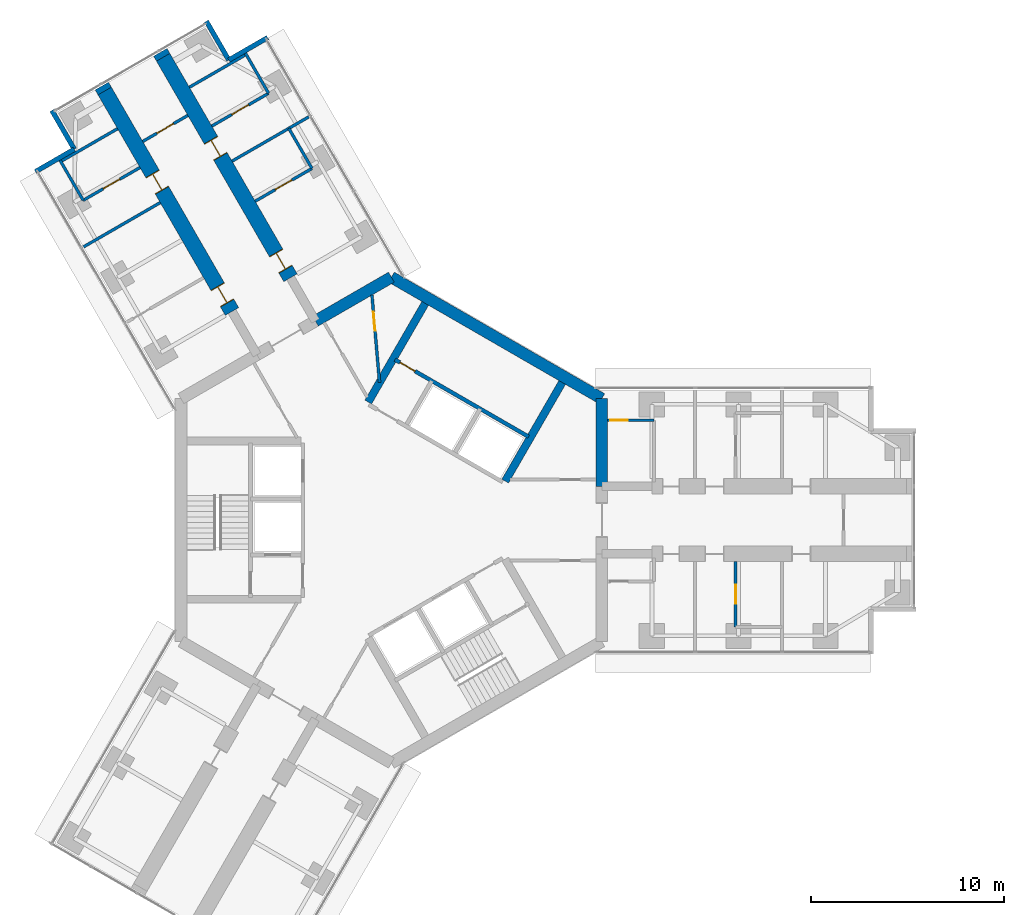
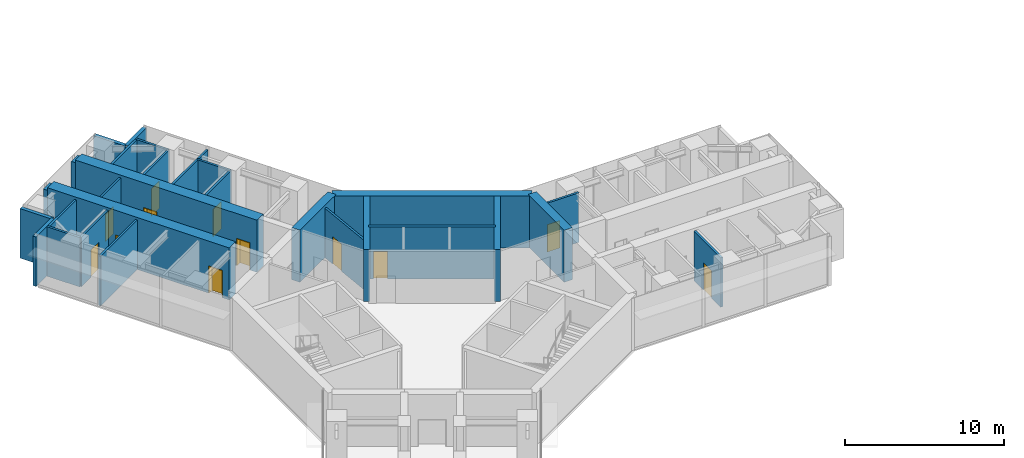
# One storey, part 17 of 22: 28 walls, 12 doors, 12 openings.
"""IFC4 building model written with IfcOpenShell, lengths in metres."""

from ifc_helpers import new_model, si_unit, direction, frame, frame_2d, origin, place, context, subcontext, project, spatial, rectangle, extrude, material, layer, layer_set, type_object, element, fill, save


model = new_model("IFC4")

# Units and contexts
model_context = context("Model", 3, precision=1e-05, world=origin(), true_north=direction((0.0, 1.0)))
body_context = subcontext(model_context, "Body", "Model", "MODEL_VIEW")
ifc_project = project(units=[si_unit("LENGTHUNIT", "METRE"), si_unit("AREAUNIT", "SQUARE_METRE"), si_unit("VOLUMEUNIT", "CUBIC_METRE"), si_unit("PLANEANGLEUNIT", "RADIAN"), si_unit("MASSUNIT", "GRAM", prefix="KILO")], contexts=[model_context])

# Site, building, storey
site_placement = place(None, origin())
site = spatial("IfcSite", under=ifc_project, at=site_placement, CompositionType="ELEMENT")
building_placement = place(site_placement, origin())
building = spatial("IfcBuilding", under=site, at=building_placement, Name="Upepo Twin Towers", CompositionType="ELEMENT")
storey_placement = place(building_placement, frame((0.0, 0.0, 133.5)))
storey = spatial("IfcBuildingStorey", under=building, at=storey_placement, Name="L32", CompositionType="ELEMENT", Elevation=133.5)

# Walls
ifc_material_1 = material(Name="Dense concrete blockwork", Category="masonry")
ifc_layer_1 = layer(ifc_material_1, 0.800048828125)
ifc_layer_set_1 = layer_set([ifc_layer_1], Name="Buttress closer 800, blockwork with fire-stopping to the curtain wall")
wall_type_1 = type_object("IfcWallType", Name="Buttress closer 800, blockwork with fire-stopping to the curtain wall", PredefinedType="PARTITIONING", material=ifc_layer_set_1)
wall_1_placement = place(storey_placement, frame((-14.865478515625, 22.247802734375, 0.0), z_axis=(0.0, 0.0, 1.0), x_axis=(-0.500426713919, 0.865778900179, 0.0)))
element("IfcWall", 1, at=wall_1_placement, inside=storey, type_object=wall_type_1, Name="T1 L32 wing B buttress closer L", PredefinedType="PARTITIONING", context=body_context, shape_type="SweptSolid", body=[
    extrude(rectangle(XDim=0.300048828125, YDim=0.800048828125, at=frame_2d((0.14990234375, 0.0))), origin(), (0.0, 0.0, 1.0), 3.800048828125),
])
wall_2_placement = place(storey_placement, frame((-11.83447265625, 23.997802734375, 0.0), z_axis=(0.0, 0.0, 1.0), x_axis=(-0.499816412211, 0.866131372301, 0.0)))
element("IfcWall", 2, at=wall_2_placement, inside=storey, type_object=wall_type_1, Name="T1 L32 wing B buttress closer R", PredefinedType="PARTITIONING", context=body_context, shape_type="SweptSolid", body=[
    extrude(rectangle(XDim=0.2998046875, YDim=0.800048828125, at=frame_2d((0.14990234375, 0.0))), origin(), (0.0, 0.0, 1.0), 3.800048828125),
])

# Wall, openings, doors
ifc_material_2 = material(Name="Concrete C60/75", Category="concrete")
ifc_layer_2 = layer(ifc_material_2, 0.800048828125)
ifc_layer_set_2 = layer_set([ifc_layer_2], Name="Concrete C60/75")
wall_type_2 = type_object("IfcWallType", Name="Buttress wall 800 RC", PredefinedType="SHEAR", material=ifc_layer_set_2)
wall_3_placement = place(storey_placement, frame((-8.265625, 10.81640625, 0.0), z_axis=(0.0, 0.0, 1.0), x_axis=(-0.499996231654, 0.866027579429, 0.0)))
wall_3 = element("IfcWall", 3, at=wall_3_placement, inside=storey, type_object=wall_type_2, Name="T1 wing B buttress wall L part 2", PredefinedType="SHEAR", context=body_context, shape_type="SweptSolid", body=[
    extrude(rectangle(XDim=13.19970703125, YDim=0.800048828125, at=frame_2d((6.599853515625, 0.0))), origin(), (0.0, 0.0, 1.0), 4.0),
])
opening_1_placement = place(wall_3_placement, frame((0.5, 0.0, 0.0)))
opening_1 = element("IfcOpeningElement", 4, at=opening_1_placement, cuts=wall_3, Name="Opening D1", PredefinedType="OPENING", context=body_context, shape_type="SweptSolid", body=[
    extrude(rectangle(XDim=1.0, YDim=2.10009765625, at=frame_2d((0.5, 1.050048828125))), frame((0.0, 0.409912109375, 0.0), z_axis=(0.0, -1.0, 0.0), x_axis=(1.0, 0.0, 0.0)), (0.0, 0.0, 1.0), 0.820068359375),
])
opening_2_placement = place(wall_3_placement, frame((7.25, 0.0, 0.0)))
opening_2 = element("IfcOpeningElement", 5, at=opening_2_placement, cuts=wall_3, Name="Opening D1", PredefinedType="OPENING", context=body_context, shape_type="SweptSolid", body=[
    extrude(rectangle(XDim=1.0, YDim=2.10009765625, at=frame_2d((0.5, 1.050048828125))), frame((0.0, 0.409912109375, 0.0), z_axis=(0.0, -1.0, 0.0), x_axis=(1.0, 0.0, 0.0)), (0.0, 0.0, 1.0), 0.820068359375),
])
ifc_material_3 = material(Name="Timber doorset", Category="wood")
door_type_1 = type_object("IfcDoorType", Name="Room door 1000 FD30", OperationType="SINGLE_SWING_LEFT", PredefinedType="DOOR", material=ifc_material_3)
door_1_placement = place(opening_1_placement, origin())
door_1 = element("IfcDoor", 6, at=door_1_placement, inside=storey, type_object=door_type_1, Name="T1 L32 seminar room door", OperationType="SINGLE_SWING_LEFT", OverallHeight=2.10009765625, OverallWidth=1.0, PredefinedType="DOOR", context=body_context, shape_type="SweptSolid", body=[
    extrude(rectangle(XDim=0.92, YDim=2.06009765625, at=frame_2d((0.5, 1.030029296875))), frame((0.0, 0.02490234375, 0.0), z_axis=(0.0, -1.0, 0.0), x_axis=(1.0, 0.0, 0.0)), (0.0, 0.0, 1.0), 0.050048828125),
    extrude(rectangle(XDim=0.04, YDim=2.10009765625, at=frame_2d((0.02001953125, 1.050048828125))), frame((0.0, 0.39990234375, 0.0), z_axis=(0.0, -1.0, 0.0), x_axis=(1.0, 0.0, 0.0)), (0.0, 0.0, 1.0), 0.799560546875),
    extrude(rectangle(XDim=0.04, YDim=2.10009765625, at=frame_2d((0.97998046875, 1.050048828125))), frame((0.0, 0.39990234375, 0.0), z_axis=(0.0, -1.0, 0.0), x_axis=(1.0, 0.0, 0.0)), (0.0, 0.0, 1.0), 0.799560546875),
    extrude(rectangle(XDim=0.92, YDim=0.04, at=frame_2d((0.5, 2.080078125))), frame((0.0, 0.39990234375, 0.0), z_axis=(0.0, -1.0, 0.0), x_axis=(1.0, 0.0, 0.0)), (0.0, 0.0, 1.0), 0.799560546875),
])
fill(opening_1, door_1)
door_2_placement = place(opening_2_placement, origin())
door_2 = element("IfcDoor", 7, at=door_2_placement, inside=storey, type_object=door_type_1, Name="T1 L32 tutorial room door", OperationType="SINGLE_SWING_RIGHT", OverallHeight=2.10009765625, OverallWidth=1.0, PredefinedType="DOOR", context=body_context, shape_type="SweptSolid", body=[
    extrude(rectangle(XDim=0.92, YDim=2.06009765625, at=frame_2d((0.5, 1.030029296875))), frame((0.0, 0.02490234375, 0.0), z_axis=(0.0, -1.0, 0.0), x_axis=(1.0, 0.0, 0.0)), (0.0, 0.0, 1.0), 0.050048828125),
    extrude(rectangle(XDim=0.04, YDim=2.10009765625, at=frame_2d((0.02001953125, 1.050048828125))), frame((0.0, 0.39990234375, 0.0), z_axis=(0.0, -1.0, 0.0), x_axis=(1.0, 0.0, 0.0)), (0.0, 0.0, 1.0), 0.799560546875),
    extrude(rectangle(XDim=0.04, YDim=2.10009765625, at=frame_2d((0.97998046875, 1.050048828125))), frame((0.0, 0.39990234375, 0.0), z_axis=(0.0, -1.0, 0.0), x_axis=(1.0, 0.0, 0.0)), (0.0, 0.0, 1.0), 0.799560546875),
    extrude(rectangle(XDim=0.92, YDim=0.04, at=frame_2d((0.5, 2.080078125))), frame((0.0, 0.39990234375, 0.0), z_axis=(0.0, -1.0, 0.0), x_axis=(1.0, 0.0, 0.0)), (0.0, 0.0, 1.0), 0.799560546875),
])
fill(opening_2, door_2)

wall_4_placement = place(storey_placement, frame((-5.234375, 12.56640625, 0.0), z_axis=(0.0, 0.0, 1.0), x_axis=(-0.500010103361, 0.866019570528, 0.0)))
wall_4 = element("IfcWall", 8, at=wall_4_placement, inside=storey, type_object=wall_type_2, Name="T1 wing B buttress wall R part 2", PredefinedType="SHEAR", context=body_context, shape_type="SweptSolid", body=[
    extrude(rectangle(XDim=13.199951171875, YDim=0.800048828125, at=frame_2d((6.60009765625, 0.0))), origin(), (0.0, 0.0, 1.0), 4.0),
])
opening_3_placement = place(wall_4_placement, frame((0.5, 0.0, 0.0)))
opening_3 = element("IfcOpeningElement", 9, at=opening_3_placement, cuts=wall_4, Name="Opening D1", PredefinedType="OPENING", context=body_context, shape_type="SweptSolid", body=[
    extrude(rectangle(XDim=1.0, YDim=2.10009765625, at=frame_2d((0.5, 1.050048828125))), frame((0.0, 0.409912109375, 0.0), z_axis=(0.0, -1.0, 0.0), x_axis=(1.0, 0.0, 0.0)), (0.0, 0.0, 1.0), 0.820068359375),
])
opening_4_placement = place(wall_4_placement, frame((7.25, 0.0, 0.0)))
opening_4 = element("IfcOpeningElement", 10, at=opening_4_placement, cuts=wall_4, Name="Opening D1", PredefinedType="OPENING", context=body_context, shape_type="SweptSolid", body=[
    extrude(rectangle(XDim=1.0, YDim=2.10009765625, at=frame_2d((0.5, 1.050048828125))), frame((0.0, 0.409912109375, 0.0), z_axis=(0.0, -1.0, 0.0), x_axis=(1.0, 0.0, 0.0)), (0.0, 0.0, 1.0), 0.820068359375),
])
door_3_placement = place(opening_3_placement, origin())
door_3 = element("IfcDoor", 11, at=door_3_placement, inside=storey, type_object=door_type_1, Name="T1 L32 research laboratory door", OperationType="SINGLE_SWING_LEFT", OverallHeight=2.10009765625, OverallWidth=1.0, PredefinedType="DOOR", context=body_context, shape_type="SweptSolid", body=[
    extrude(rectangle(XDim=0.92, YDim=2.06009765625, at=frame_2d((0.5, 1.030029296875))), frame((0.0, 0.02490234375, 0.0), z_axis=(0.0, -1.0, 0.0), x_axis=(1.0, 0.0, 0.0)), (0.0, 0.0, 1.0), 0.050048828125),
    extrude(rectangle(XDim=0.04, YDim=2.10009765625, at=frame_2d((0.02001953125, 1.050048828125))), frame((0.0, 0.39990234375, 0.0), z_axis=(0.0, -1.0, 0.0), x_axis=(1.0, 0.0, 0.0)), (0.0, 0.0, 1.0), 0.799560546875),
    extrude(rectangle(XDim=0.04, YDim=2.10009765625, at=frame_2d((0.97998046875, 1.050048828125))), frame((0.0, 0.39990234375, 0.0), z_axis=(0.0, -1.0, 0.0), x_axis=(1.0, 0.0, 0.0)), (0.0, 0.0, 1.0), 0.799560546875),
    extrude(rectangle(XDim=0.92, YDim=0.04, at=frame_2d((0.5, 2.080078125))), frame((0.0, 0.39990234375, 0.0), z_axis=(0.0, -1.0, 0.0), x_axis=(1.0, 0.0, 0.0)), (0.0, 0.0, 1.0), 0.799560546875),
])
fill(opening_3, door_3)
door_4_placement = place(opening_4_placement, origin())
door_4 = element("IfcDoor", 12, at=door_4_placement, inside=storey, type_object=door_type_1, Name="T1 L32 computing laboratory door", OperationType="SINGLE_SWING_RIGHT", OverallHeight=2.10009765625, OverallWidth=1.0, PredefinedType="DOOR", context=body_context, shape_type="SweptSolid", body=[
    extrude(rectangle(XDim=0.92, YDim=2.06009765625, at=frame_2d((0.5, 1.030029296875))), frame((0.0, 0.02490234375, 0.0), z_axis=(0.0, -1.0, 0.0), x_axis=(1.0, 0.0, 0.0)), (0.0, 0.0, 1.0), 0.050048828125),
    extrude(rectangle(XDim=0.04, YDim=2.10009765625, at=frame_2d((0.02001953125, 1.050048828125))), frame((0.0, 0.39990234375, 0.0), z_axis=(0.0, -1.0, 0.0), x_axis=(1.0, 0.0, 0.0)), (0.0, 0.0, 1.0), 0.799560546875),
    extrude(rectangle(XDim=0.04, YDim=2.10009765625, at=frame_2d((0.97998046875, 1.050048828125))), frame((0.0, 0.39990234375, 0.0), z_axis=(0.0, -1.0, 0.0), x_axis=(1.0, 0.0, 0.0)), (0.0, 0.0, 1.0), 0.799560546875),
    extrude(rectangle(XDim=0.92, YDim=0.04, at=frame_2d((0.5, 2.080078125))), frame((0.0, 0.39990234375, 0.0), z_axis=(0.0, -1.0, 0.0), x_axis=(1.0, 0.0, 0.0)), (0.0, 0.0, 1.0), 0.799560546875),
])
fill(opening_4, door_4)

# Walls
ifc_material_4 = material(Name="Concrete C60/75", Category="concrete")
ifc_layer_3 = layer(ifc_material_4, 0.60009765625)
ifc_layer_set_3 = layer_set([ifc_layer_3], Name="Concrete C60/75")
wall_type_3 = type_object("IfcWallType", Name="Core wall 600 RC", PredefinedType="SHEAR", material=ifc_layer_set_3)
wall_5_placement = place(storey_placement, frame((10.908447265625, 1.75, 0.0), z_axis=(0.0, 0.0, 1.0), x_axis=(0.0, 1.0, 0.0)))
element("IfcWall", 13, at=wall_5_placement, inside=storey, type_object=wall_type_3, Name="T1 core wall 000 L", PredefinedType="SHEAR", context=body_context, shape_type="SweptSolid", body=[
    extrude(rectangle(XDim=4.5478515625, YDim=0.60009765625, at=frame_2d((2.27392578125, 0.0))), origin(), (0.0, 0.0, 1.0), 4.0),
])
wall_6_placement = place(storey_placement, frame((10.908447265625, 6.2978515625, 0.0), z_axis=(0.0, 0.0, 1.0), x_axis=(-0.866021940709, 0.500005998175, 0.0)))
element("IfcWall", 14, at=wall_6_placement, inside=storey, type_object=wall_type_3, Name="T1 core wall 060", PredefinedType="SHEAR", context=body_context, shape_type="SweptSolid", body=[
    extrude(rectangle(XDim=12.595947265625, YDim=0.60009765625, at=frame_2d((6.2978515625, 0.0))), origin(), (0.0, 0.0, 1.0), 4.0),
])
wall_7_placement = place(storey_placement, frame((0.0, 12.595947265625, 0.0), z_axis=(0.0, 0.0, 1.0), x_axis=(-0.866011268655, -0.500024481964, 0.0)))
element("IfcWall", 15, at=wall_7_placement, inside=storey, type_object=wall_type_3, Name="T1 core wall 120 R", PredefinedType="SHEAR", context=body_context, shape_type="SweptSolid", body=[
    extrude(rectangle(XDim=4.548095703125, YDim=0.60009765625, at=frame_2d((2.27392578125, 0.0))), origin(), (0.0, 0.0, 1.0), 4.0),
])
ifc_material_5 = material(Name="Blockwork with anodised aluminium cladding", Category="masonry")
ifc_layer_4 = layer(ifc_material_5, 0.25)
ifc_layer_set_4 = layer_set([ifc_layer_4], Name="Notch cladding wall 250, pale metal")
wall_type_4 = type_object("IfcWallType", Name="Notch cladding wall 250, pale metal", PredefinedType="STANDARD", material=ifc_layer_set_4)
for number, where, z_axis, x_axis, name in (
    (16, (-18.456298828125, 18.0673828125, 0.0), (0.0, 0.0, 1.0), (0.865998469481, 0.500046648681, 0.0), "T1 L32 wing B notch wall L1"),
    (17, (-16.44287109375, 19.22998046875, 0.0), (0.0, 0.0, 1.0), (-0.500046648681, 0.865998469481, 0.0), "T1 L32 wing B notch wall L2"),
    (18, (-6.418701171875, 25.017333984375, 0.0), (0.0, 0.0, 1.0), (-0.866043940782, -0.499967891604, 0.0), "T1 L32 wing B notch wall R1"),
    (19, (-8.43212890625, 23.85498046875, 0.0), (0.0, 0.0, 1.0), (-0.500046648681, 0.865998469481, 0.0), "T1 L32 wing B notch wall R2"),
):
    element("IfcWall", number, at=place(storey_placement, frame(where, z_axis=z_axis, x_axis=x_axis)), inside=storey, type_object=wall_type_4, Name=name, PredefinedType="STANDARD", context=body_context, shape_type="SweptSolid", body=[
        extrude(rectangle(XDim=2.324951171875, YDim=0.25, at=frame_2d((1.16259765625, 0.0))), origin(), (0.0, 0.0, 1.0), 3.800048828125),
    ])

# Wall, opening, door
ifc_material_6 = material(Name="Concrete C40/50", Category="concrete")
ifc_layer_5 = layer(ifc_material_6, 0.199951171875)
ifc_layer_set_5 = layer_set([ifc_layer_5], Name="Concrete C40/50")
wall_type_5 = type_object("IfcWallType", Name="Shaft wall 200 RC", PredefinedType="SHEAR", material=ifc_layer_set_5)
wall_8_placement = place(storey_placement, frame((7.114013671875, 4.322021484375, 0.0), z_axis=(0.0, 0.0, 1.0), x_axis=(-0.866026010844, 0.49999894854, 0.0)))
wall_8 = element("IfcWall", 20, at=wall_8_placement, inside=storey, type_object=wall_type_5, Name="T1 core W60 stair wall", PredefinedType="SHEAR", context=body_context, shape_type="SweptSolid", body=[
    extrude(rectangle(XDim=8.0, YDim=0.199951171875, at=frame_2d((4.0, 0.0))), origin(), (0.0, 0.0, 1.0), 4.0),
])
opening_5_placement = place(wall_8_placement, frame((6.800048828125, 0.0, 0.0)))
opening_5 = element("IfcOpeningElement", 21, at=opening_5_placement, cuts=wall_8, Name="Opening D9", PredefinedType="OPENING", context=body_context, shape_type="SweptSolid", body=[
    extrude(rectangle(XDim=0.89990234375, YDim=2.10009765625, at=frame_2d((0.449951171875, 1.050048828125))), frame((0.0, 0.10986328125, 0.0), z_axis=(0.0, -1.0, 0.0), x_axis=(1.0, 0.0, 0.0)), (0.0, 0.0, 1.0), 0.219970703125),
])
ifc_material_7 = material(Name="Timber doorset", Category="wood")
door_type_2 = type_object("IfcDoorType", Name="Riser door 900 FD60", OperationType="SINGLE_SWING_LEFT", PredefinedType="DOOR", material=ifc_material_7)
door_5_placement = place(opening_5_placement, origin())
door_5 = element("IfcDoor", 22, at=door_5_placement, inside=storey, type_object=door_type_2, Name="T1 L32 riser door", OperationType="SINGLE_SWING_RIGHT", OverallHeight=2.10009765625, OverallWidth=0.89990234375, PredefinedType="DOOR", context=body_context, shape_type="SweptSolid", body=[
    extrude(rectangle(XDim=0.89990234375, YDim=2.10009765625, at=frame_2d((0.449951171875, 1.050048828125))), frame((0.0, 0.02490234375, 0.0), z_axis=(0.0, -1.0, 0.0), x_axis=(1.0, 0.0, 0.0)), (0.0, 0.0, 1.0), 0.050048828125),
])
fill(opening_5, door_5)

# Walls
ifc_material_8 = material(Name="Concrete C40/50", Category="concrete")
ifc_layer_6 = layer(ifc_material_8, 0.39990234375)
ifc_layer_set_6 = layer_set([ifc_layer_6], Name="Concrete C40/50")
wall_type_6 = type_object("IfcWallType", Name="Shaft wall 400 RC", PredefinedType="SHEAR", material=ifc_layer_set_6)
wall_9_placement = place(storey_placement, frame((-1.20068359375, 6.120361328125, 0.0), z_axis=(0.0, 0.0, 1.0), x_axis=(0.49999668571, 0.866027317282, 0.0)))
element("IfcWall", 23, at=wall_9_placement, inside=storey, type_object=wall_type_6, Name="T1 core W60 side wall N", PredefinedType="SHEAR", context=body_context, shape_type="SweptSolid", body=[
    extrude(rectangle(XDim=5.908203125, YDim=0.39990234375, at=frame_2d((2.9541015625, 0.0))), origin(), (0.0, 0.0, 1.0), 4.0),
])
wall_10_placement = place(storey_placement, frame((5.900634765625, 2.020263671875, 0.0), z_axis=(0.0, 0.0, 1.0), x_axis=(0.500027676417, 0.866009424208, 0.0)))
element("IfcWall", 24, at=wall_10_placement, inside=storey, type_object=wall_type_6, Name="T1 core W60 side wall S", PredefinedType="SHEAR", context=body_context, shape_type="SweptSolid", body=[
    extrude(rectangle(XDim=5.908447265625, YDim=0.39990234375, at=frame_2d((2.9541015625, 0.0))), origin(), (0.0, 0.0, 1.0), 4.0),
])

# Wall, opening, door
ifc_material_9 = material(Name="Gypsum board on steel studs", Category="steel")
ifc_layer_7 = layer(ifc_material_9, 0.14990234375)
ifc_layer_set_7 = layer_set([ifc_layer_7], Name="Teaching partition 150 acoustic")
wall_type_7 = type_object("IfcWallType", Name="Teaching partition 150 acoustic", PredefinedType="PARTITIONING", material=ifc_layer_set_7)
wall_11_placement = place(storey_placement, frame((11.2080078125, 5.175048828125, 0.0), z_axis=(0.0, 0.0, 1.0), x_axis=(1.0, 0.0, 0.0)))
wall_11 = element("IfcWall", 25, at=wall_11_placement, inside=storey, type_object=wall_type_7, Name="T1 WC bay partition AL at 11.21", PredefinedType="PARTITIONING", context=body_context, shape_type="SweptSolid", body=[
    extrude(rectangle(XDim=2.39990234375, YDim=0.14990234375, at=frame_2d((1.199951171875, 0.0))), origin(), (0.0, 0.0, 1.0), 3.800048828125),
])
opening_6_placement = place(wall_11_placement, frame((0.14990234375, 0.0, 0.0)))
opening_6 = element("IfcOpeningElement", 26, at=opening_6_placement, cuts=wall_11, Name="Opening D14", PredefinedType="OPENING", context=body_context, shape_type="SweptSolid", body=[
    extrude(rectangle(XDim=0.89990234375, YDim=2.10009765625, at=frame_2d((0.449951171875, 1.050048828125))), frame((0.0, 0.0849609375, 0.0), z_axis=(0.0, -1.0, 0.0), x_axis=(1.0, 0.0, 0.0)), (0.0, 0.0, 1.0), 0.169921875),
])
ifc_material_10 = material(Name="Timber doorset", Category="wood")
door_type_3 = type_object("IfcDoorType", Name="Office door 900 FD30", OperationType="SINGLE_SWING_LEFT", PredefinedType="DOOR", material=ifc_material_10)
door_6_placement = place(opening_6_placement, origin())
door_6 = element("IfcDoor", 27, at=door_6_placement, inside=storey, type_object=door_type_3, Name="T1 L32 WC bay inner room door", OperationType="SINGLE_SWING_LEFT", OverallHeight=2.10009765625, OverallWidth=0.89990234375, PredefinedType="DOOR", context=body_context, shape_type="SweptSolid", body=[
    extrude(rectangle(XDim=0.89990234375, YDim=2.10009765625, at=frame_2d((0.449951171875, 1.050048828125))), frame((0.0, 0.02490234375, 0.0), z_axis=(0.0, -1.0, 0.0), x_axis=(1.0, 0.0, 0.0)), (0.0, 0.0, 1.0), 0.050048828125),
])
fill(opening_6, door_6)

wall_12_placement = place(storey_placement, frame((17.85009765625, -2.14990234375, 0.0), z_axis=(0.0, 0.0, 1.0), x_axis=(0.0, -1.0, 0.0)))
wall_12 = element("IfcWall", 28, at=wall_12_placement, inside=storey, type_object=wall_type_7, Name="T1 inner room partition AR end at 17.85", PredefinedType="PARTITIONING", context=body_context, shape_type="SweptSolid", body=[
    extrude(rectangle(XDim=3.400146484375, YDim=0.14990234375, at=frame_2d((1.7001953125, 0.0))), origin(), (0.0, 0.0, 1.0), 3.800048828125),
])
opening_7_placement = place(wall_12_placement, frame((1.199951171875, 0.0, 0.0)))
opening_7 = element("IfcOpeningElement", 29, at=opening_7_placement, cuts=wall_12, Name="Opening D1", PredefinedType="OPENING", context=body_context, shape_type="SweptSolid", body=[
    extrude(rectangle(XDim=1.0, YDim=2.10009765625, at=frame_2d((0.5, 1.050048828125))), frame((0.0, 0.0849609375, 0.0), z_axis=(0.0, -1.0, 0.0), x_axis=(1.0, 0.0, 0.0)), (0.0, 0.0, 1.0), 0.169921875),
])
door_7_placement = place(opening_7_placement, origin())
door_7 = element("IfcDoor", 30, at=door_7_placement, inside=storey, type_object=door_type_1, Name="T1 L32 inner room door", OperationType="SINGLE_SWING_LEFT", OverallHeight=2.10009765625, OverallWidth=1.0, PredefinedType="DOOR", context=body_context, shape_type="SweptSolid", body=[
    extrude(rectangle(XDim=1.0, YDim=2.10009765625, at=frame_2d((0.5, 1.050048828125))), frame((0.0, 0.02490234375, 0.0), z_axis=(0.0, -1.0, 0.0), x_axis=(1.0, 0.0, 0.0)), (0.0, 0.0, 1.0), 0.050048828125),
])
fill(opening_7, door_7)

# Walls
wall_13_placement = place(storey_placement, frame((-11.987060546875, 16.4619140625, 0.0), z_axis=(0.0, 0.0, 1.0), x_axis=(-0.866039752405, -0.499975146636, 0.0)))
element("IfcWall", 31, at=wall_13_placement, inside=storey, type_object=wall_type_7, Name="T1 partition BL at 20.25", PredefinedType="PARTITIONING", context=body_context, shape_type="SweptSolid", body=[
    extrude(rectangle(XDim=4.599853515625, YDim=0.14990234375, at=frame_2d((2.2998046875, 0.0))), origin(), (0.0, 0.0, 1.0), 3.800048828125),
])
wall_14_placement = place(storey_placement, frame((-15.9814453125, 16.58056640625, 0.0), z_axis=(0.0, 0.0, 1.0), x_axis=(-0.499957262057, 0.866050077142, 0.0)))
element("IfcWall", 32, at=wall_14_placement, inside=storey, type_object=wall_type_7, Name="T1 inner room partition BL at 22.35", PredefinedType="PARTITIONING", context=body_context, shape_type="SweptSolid", body=[
    extrude(rectangle(XDim=2.400146484375, YDim=0.14990234375, at=frame_2d((1.2001953125, 0.0))), origin(), (0.0, 0.0, 1.0), 3.800048828125),
])

# Wall, opening, door
wall_15_placement = place(storey_placement, frame((-13.036865234375, 18.28076171875, 0.0), z_axis=(0.0, 0.0, 1.0), x_axis=(-0.866007419912, -0.500031147688, 0.0)))
wall_15 = element("IfcWall", 33, at=wall_15_placement, inside=storey, type_object=wall_type_7, Name="T1 inner room partition BL end at 22.35", PredefinedType="PARTITIONING", context=body_context, shape_type="SweptSolid", body=[
    extrude(rectangle(XDim=3.400146484375, YDim=0.14990234375, at=frame_2d((1.7001953125, 0.0))), origin(), (0.0, 0.0, 1.0), 3.800048828125),
])
opening_8_placement = place(wall_15_placement, frame((1.199951171875, 0.0, 0.0)))
opening_8 = element("IfcOpeningElement", 34, at=opening_8_placement, cuts=wall_15, Name="Opening D1", PredefinedType="OPENING", context=body_context, shape_type="SweptSolid", body=[
    extrude(rectangle(XDim=1.0, YDim=2.10009765625, at=frame_2d((0.5, 1.050048828125))), frame((0.0, 0.0849609375, 0.0), z_axis=(0.0, -1.0, 0.0), x_axis=(1.0, 0.0, 0.0)), (0.0, 0.0, 1.0), 0.169921875),
])
door_8_placement = place(opening_8_placement, origin())
door_8 = element("IfcDoor", 35, at=door_8_placement, inside=storey, type_object=door_type_1, Name="T1 L32 inner room door", OperationType="SINGLE_SWING_LEFT", OverallHeight=2.10009765625, OverallWidth=1.0, PredefinedType="DOOR", context=body_context, shape_type="SweptSolid", body=[
    extrude(rectangle(XDim=1.0, YDim=2.10009765625, at=frame_2d((0.5, 1.050048828125))), frame((0.0, 0.02490234375, 0.0), z_axis=(0.0, -1.0, 0.0), x_axis=(1.0, 0.0, 0.0)), (0.0, 0.0, 1.0), 0.050048828125),
])
fill(opening_8, door_8)

# Walls
wall_16_placement = place(storey_placement, frame((-14.199462890625, 20.294189453125, 0.0), z_axis=(0.0, 0.0, 1.0), x_axis=(-0.866038511948, -0.499977295307, 0.0)))
element("IfcWall", 36, at=wall_16_placement, inside=storey, type_object=wall_type_7, Name="T1 inner room partition BL end at 24.75", PredefinedType="PARTITIONING", context=body_context, shape_type="SweptSolid", body=[
    extrude(rectangle(XDim=3.400146484375, YDim=0.14990234375, at=frame_2d((1.7001953125, 0.0))), origin(), (0.0, 0.0, 1.0), 3.800048828125),
])
wall_17_placement = place(storey_placement, frame((-8.262939453125, 18.612060546875, 0.0), z_axis=(0.0, 0.0, 1.0), x_axis=(0.866016770315, 0.500014953309, 0.0)))
element("IfcWall", 37, at=wall_17_placement, inside=storey, type_object=wall_type_7, Name="T1 partition BR at 20.25", PredefinedType="PARTITIONING", context=body_context, shape_type="SweptSolid", body=[
    extrude(rectangle(XDim=4.599853515625, YDim=0.14990234375, at=frame_2d((2.2998046875, 0.0))), origin(), (0.0, 0.0, 1.0), 3.800048828125),
])
wall_18_placement = place(storey_placement, frame((-4.11865234375, 18.233642578125, 0.0), z_axis=(0.0, 0.0, 1.0), x_axis=(-0.500001309137, 0.866024647952, 0.0)))
element("IfcWall", 38, at=wall_18_placement, inside=storey, type_object=wall_type_7, Name="T1 inner room partition BR at 17.85", PredefinedType="PARTITIONING", context=body_context, shape_type="SweptSolid", body=[
    extrude(rectangle(XDim=2.39990234375, YDim=0.14990234375, at=frame_2d((1.199951171875, 0.0))), origin(), (0.0, 0.0, 1.0), 3.800048828125),
])

# Wall, opening, door
wall_19_placement = place(storey_placement, frame((-7.06298828125, 16.533447265625, 0.0), z_axis=(0.0, 0.0, 1.0), x_axis=(0.865989465428, 0.500062241894, 0.0)))
wall_19 = element("IfcWall", 39, at=wall_19_placement, inside=storey, type_object=wall_type_7, Name="T1 inner room partition BR end at 17.85", PredefinedType="PARTITIONING", context=body_context, shape_type="SweptSolid", body=[
    extrude(rectangle(XDim=3.39990234375, YDim=0.14990234375, at=frame_2d((1.699951171875, 0.0))), origin(), (0.0, 0.0, 1.0), 3.800048828125),
])
opening_9_placement = place(wall_19_placement, frame((1.199951171875, 0.0, 0.0)))
opening_9 = element("IfcOpeningElement", 40, at=opening_9_placement, cuts=wall_19, Name="Opening D1", PredefinedType="OPENING", context=body_context, shape_type="SweptSolid", body=[
    extrude(rectangle(XDim=1.0, YDim=2.10009765625, at=frame_2d((0.5, 1.050048828125))), frame((0.0, 0.0849609375, 0.0), z_axis=(0.0, -1.0, 0.0), x_axis=(1.0, 0.0, 0.0)), (0.0, 0.0, 1.0), 0.169921875),
])
door_9_placement = place(opening_9_placement, origin())
door_9 = element("IfcDoor", 41, at=door_9_placement, inside=storey, type_object=door_type_1, Name="T1 L32 inner room door", OperationType="SINGLE_SWING_LEFT", OverallHeight=2.10009765625, OverallWidth=1.0, PredefinedType="DOOR", context=body_context, shape_type="SweptSolid", body=[
    extrude(rectangle(XDim=1.0, YDim=2.10009765625, at=frame_2d((0.5, 1.050048828125))), frame((0.0, 0.02490234375, 0.0), z_axis=(0.0, -1.0, 0.0), x_axis=(1.0, 0.0, 0.0)), (0.0, 0.0, 1.0), 0.050048828125),
])
fill(opening_9, door_9)

# Wall
wall_20_placement = place(storey_placement, frame((-6.36865234375, 22.130615234375, 0.0), z_axis=(0.0, 0.0, 1.0), x_axis=(-0.499957262057, 0.866050077142, 0.0)))
element("IfcWall", 42, at=wall_20_placement, inside=storey, type_object=wall_type_7, Name="T1 inner room partition BR at 22.35", PredefinedType="PARTITIONING", context=body_context, shape_type="SweptSolid", body=[
    extrude(rectangle(XDim=2.400146484375, YDim=0.14990234375, at=frame_2d((1.2001953125, 0.0))), origin(), (0.0, 0.0, 1.0), 3.800048828125),
])

# Wall, opening, door
wall_21_placement = place(storey_placement, frame((-9.31298828125, 20.4306640625, 0.0), z_axis=(0.0, 0.0, 1.0), x_axis=(0.866020560687, 0.500008388397, 0.0)))
wall_21 = element("IfcWall", 43, at=wall_21_placement, inside=storey, type_object=wall_type_7, Name="T1 inner room partition BR end at 22.35", PredefinedType="PARTITIONING", context=body_context, shape_type="SweptSolid", body=[
    extrude(rectangle(XDim=3.39990234375, YDim=0.14990234375, at=frame_2d((1.699951171875, 0.0))), origin(), (0.0, 0.0, 1.0), 3.800048828125),
])
opening_10_placement = place(wall_21_placement, frame((1.199951171875, 0.0, 0.0)))
opening_10 = element("IfcOpeningElement", 44, at=opening_10_placement, cuts=wall_21, Name="Opening D1", PredefinedType="OPENING", context=body_context, shape_type="SweptSolid", body=[
    extrude(rectangle(XDim=1.0, YDim=2.10009765625, at=frame_2d((0.5, 1.050048828125))), frame((0.0, 0.0849609375, 0.0), z_axis=(0.0, -1.0, 0.0), x_axis=(1.0, 0.0, 0.0)), (0.0, 0.0, 1.0), 0.169921875),
])
door_10_placement = place(opening_10_placement, origin())
door_10 = element("IfcDoor", 45, at=door_10_placement, inside=storey, type_object=door_type_1, Name="T1 L32 inner room door", OperationType="SINGLE_SWING_LEFT", OverallHeight=2.10009765625, OverallWidth=1.0, PredefinedType="DOOR", context=body_context, shape_type="SweptSolid", body=[
    extrude(rectangle(XDim=1.0, YDim=2.10009765625, at=frame_2d((0.5, 1.050048828125))), frame((0.0, 0.02490234375, 0.0), z_axis=(0.0, -1.0, 0.0), x_axis=(1.0, 0.0, 0.0)), (0.0, 0.0, 1.0), 0.050048828125),
])
fill(opening_10, door_10)

# Wall
wall_22_placement = place(storey_placement, frame((-10.4755859375, 22.444091796875, 0.0), z_axis=(0.0, 0.0, 1.0), x_axis=(0.866007419912, 0.500031147688, 0.0)))
element("IfcWall", 46, at=wall_22_placement, inside=storey, type_object=wall_type_7, Name="T1 inner room partition BR end at 24.75", PredefinedType="PARTITIONING", context=body_context, shape_type="SweptSolid", body=[
    extrude(rectangle(XDim=3.400146484375, YDim=0.14990234375, at=frame_2d((1.7001953125, 0.0))), origin(), (0.0, 0.0, 1.0), 3.800048828125),
])

# Wall, opening, door
wall_23_placement = place(storey_placement, frame((-0.6162109375, 7.133056640625, 0.0), z_axis=(0.0, 0.0, 1.0), x_axis=(-0.086041653535, 0.996291540593, 0.0)))
wall_23 = element("IfcWall", 47, at=wall_23_placement, inside=storey, type_object=wall_type_7, Name="T1 core room partition 7", PredefinedType="PARTITIONING", context=body_context, shape_type="SweptSolid", body=[
    extrude(rectangle(XDim=4.55126953125, YDim=0.14990234375, at=frame_2d((2.275634765625, 0.0))), origin(), (0.0, 0.0, 1.0), 3.800048828125),
])
opening_11_placement = place(wall_23_placement, frame((2.68603515625, 0.0, 0.0)))
opening_11 = element("IfcOpeningElement", 48, at=opening_11_placement, cuts=wall_23, Name="Opening D1", PredefinedType="OPENING", context=body_context, shape_type="SweptSolid", body=[
    extrude(rectangle(XDim=1.0, YDim=2.10009765625, at=frame_2d((0.5, 1.050048828125))), frame((0.0, 0.0849609375, 0.0), z_axis=(0.0, -1.0, 0.0), x_axis=(1.0, 0.0, 0.0)), (0.0, 0.0, 1.0), 0.169921875),
])
door_11_placement = place(opening_11_placement, origin())
door_11 = element("IfcDoor", 49, at=door_11_placement, inside=storey, type_object=door_type_1, Name="T1 L32 core room door K6", OperationType="SINGLE_SWING_RIGHT", OverallHeight=2.10009765625, OverallWidth=1.0, PredefinedType="DOOR", context=body_context, shape_type="SweptSolid", body=[
    extrude(rectangle(XDim=1.0, YDim=2.10009765625, at=frame_2d((0.5, 1.050048828125))), frame((0.0, 0.02490234375, 0.0), z_axis=(0.0, -1.0, 0.0), x_axis=(1.0, 0.0, 0.0)), (0.0, 0.0, 1.0), 0.050048828125),
])
fill(opening_11, door_11)

wall_24_placement = place(storey_placement, frame((-10.555908203125, 20.9833984375, 0.0), z_axis=(0.0, 0.0, 1.0), x_axis=(-0.86599734893, -0.500048589285, 0.0)))
wall_24 = element("IfcWall", 50, at=wall_24_placement, inside=storey, type_object=wall_type_7, Name="T1 corridor end partition B at 23.45", PredefinedType="PARTITIONING", context=body_context, shape_type="SweptSolid", body=[
    extrude(rectangle(XDim=2.699951171875, YDim=0.14990234375, at=frame_2d((1.35009765625, 0.0))), origin(), (0.0, 0.0, 1.0), 3.800048828125),
])
opening_12_placement = place(wall_24_placement, frame((0.85009765625, 0.0, 0.0)))
opening_12 = element("IfcOpeningElement", 51, at=opening_12_placement, cuts=wall_24, Name="Opening D1", PredefinedType="OPENING", context=body_context, shape_type="SweptSolid", body=[
    extrude(rectangle(XDim=1.0, YDim=2.10009765625, at=frame_2d((0.5, 1.050048828125))), frame((0.0, 0.0849609375, 0.0), z_axis=(0.0, -1.0, 0.0), x_axis=(1.0, 0.0, 0.0)), (0.0, 0.0, 1.0), 0.169921875),
])
door_12_placement = place(opening_12_placement, origin())
door_12 = element("IfcDoor", 52, at=door_12_placement, inside=storey, type_object=door_type_1, Name="T1 L32 breakout study room door", OperationType="SINGLE_SWING_RIGHT", OverallHeight=2.10009765625, OverallWidth=1.0, PredefinedType="DOOR", context=body_context, shape_type="SweptSolid", body=[
    extrude(rectangle(XDim=1.0, YDim=2.10009765625, at=frame_2d((0.5, 1.050048828125))), frame((0.0, 0.02490234375, 0.0), z_axis=(0.0, -1.0, 0.0), x_axis=(1.0, 0.0, 0.0)), (0.0, 0.0, 1.0), 0.050048828125),
])
fill(opening_12, door_12)

save(model, "model.ifc")
